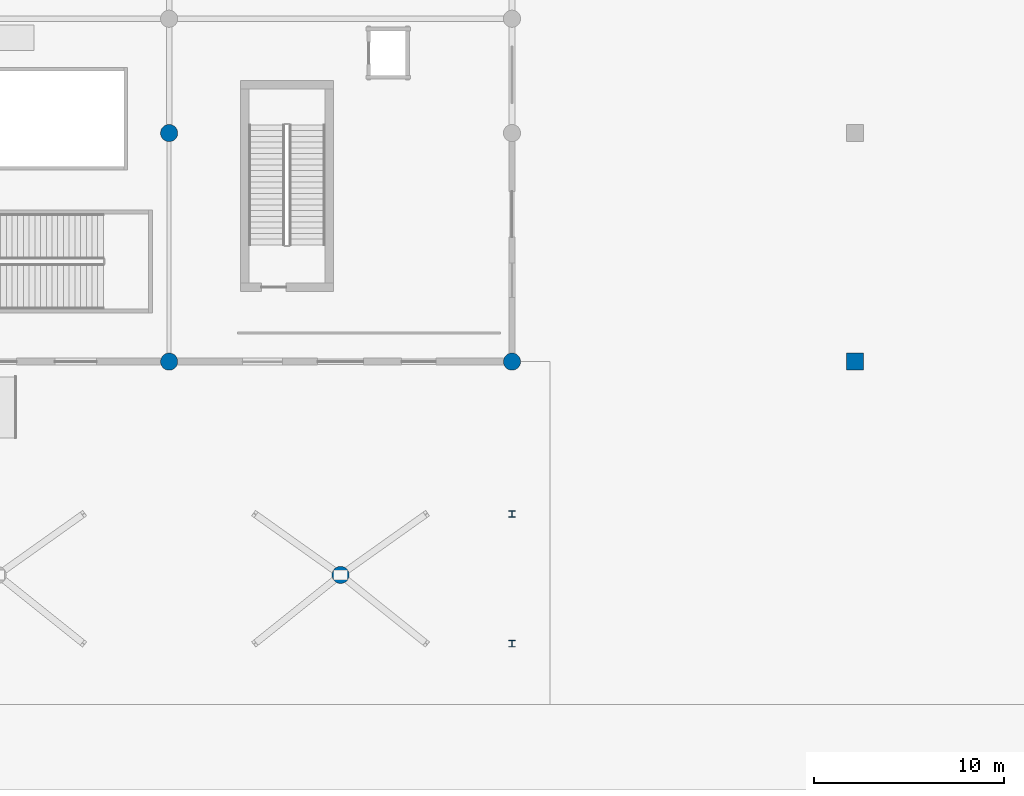
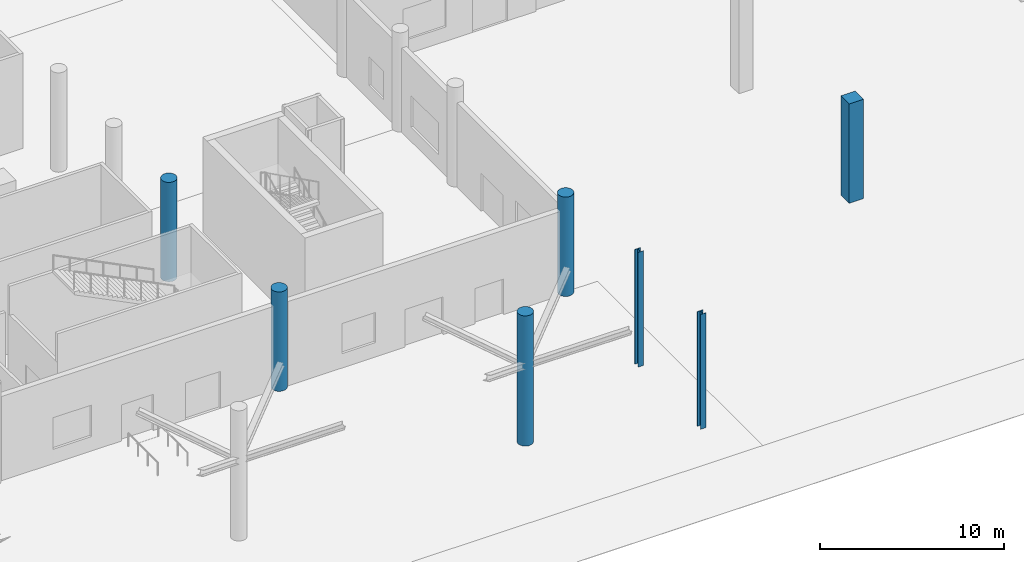
# One storey, part 3 of 65: 7 columns.
"""IFC4 building model written with IfcOpenShell, lengths in metres."""

import ifcopenshell
import ifcopenshell.guid

model = None  # the IFC model being written
_history = None  # IfcOwnerHistory: only IFC2X3 demands one
_inside = {}  # id of a spatial element -> (the spatial element, [elements in it])
_under = {}  # id of a project, library or spatial element -> (it, [spatial elements below it])
_declared = {}  # id of a project -> (the project, [libraries it declares])
_typed = {}  # id of a type object -> (the type object, [elements of that type])
_made_of = {}  # id of a material, layer set ... -> (it, [elements and type objects made of it])


def new_model(schema):
    """Start an empty IFC model of exactly this schema.

    Asked for "IFC4X3", IfcOpenShell would pick the latest addendum, in which some entities
    have other attributes; the version numbers below select the first issue.
    IFC2X3 requires an IfcOwnerHistory on every rooted entity: one is made here for all.
    """
    global model, _history
    if schema == "IFC4X3":
        model = ifcopenshell.file(schema_version=(4, 3, 0, 0))
    else:
        model = ifcopenshell.file(schema=schema)
    _inside.clear()
    _under.clear()
    _declared.clear()
    _typed.clear()
    _made_of.clear()
    _history = None
    if model.schema == "IFC2X3":
        org = make("IfcOrganization", Name="unknown")
        user = make(
            "IfcPersonAndOrganization",
            ThePerson=make("IfcPerson", FamilyName="unknown"),
            TheOrganization=org,
        )
        app = make(
            "IfcApplication",
            ApplicationDeveloper=org,
            Version="unknown",
            ApplicationFullName="unknown",
            ApplicationIdentifier="unknown",
        )
        _history = make(
            "IfcOwnerHistory",
            OwningUser=user,
            OwningApplication=app,
            ChangeAction="ADDED",
            CreationDate=0,
        )
    return model


def make(cls, **values):
    """One entity of the class cls with the attributes given. An attribute that is None is left unset."""
    return model.create_entity(
        cls, **{name: value for name, value in values.items() if value is not None}
    )


def rooted(cls, **values):
    """An entity with a GlobalId (a new one), such as an element, a storey or a relation."""
    return make(cls, GlobalId=ifcopenshell.guid.new(), OwnerHistory=_history, **values)


def si_unit(unit_type, name, prefix=None):
    """IfcSIUnit, for example si_unit("LENGTHUNIT", "METRE", prefix="MILLI")."""
    return make("IfcSIUnit", UnitType=unit_type, Prefix=prefix, Name=name)


def assignment(units):
    """IfcUnitAssignment: the units of a project."""
    return None if units is None else make("IfcUnitAssignment", Units=units)


def point(xyz):
    """IfcCartesianPoint."""
    return None if xyz is None else make("IfcCartesianPoint", Coordinates=xyz)


def direction(xyz):
    """IfcDirection."""
    return None if xyz is None else make("IfcDirection", DirectionRatios=xyz)


def frame(location, z_axis=None, x_axis=None):
    """IfcAxis2Placement3D, a coordinate frame: its origin and axes. An axis left out is left unset."""
    return make(
        "IfcAxis2Placement3D",
        Location=point(location),
        Axis=direction(z_axis),
        RefDirection=direction(x_axis),
    )


def frame_2d(location, x_axis=None):
    """IfcAxis2Placement2D, a coordinate frame in the plane: its origin and x axis."""
    return make(
        "IfcAxis2Placement2D", Location=point(location), RefDirection=direction(x_axis)
    )


def origin():
    """The frame at (0, 0, 0) with its axes left unset."""
    return frame((0.0, 0.0, 0.0))


def origin_2d():
    """The frame at (0, 0) in the plane with its x axis left unset."""
    return frame_2d((0.0, 0.0))


def place(relative_to, where):
    """IfcLocalPlacement: puts the frame where relative to a parent placement (None: the world)."""
    return make(
        "IfcLocalPlacement", PlacementRelTo=relative_to, RelativePlacement=where
    )


def context(
    kind, dimensions, precision=None, world=None, true_north=None, identifier=None
):
    """IfcGeometricRepresentationContext, for example the 3D "Model" context."""
    return make(
        "IfcGeometricRepresentationContext",
        ContextIdentifier=identifier,
        ContextType=kind,
        CoordinateSpaceDimension=dimensions,
        Precision=precision,
        WorldCoordinateSystem=world,
        TrueNorth=true_north,
    )


def subcontext(parent, identifier, kind, view, scale=None):
    """IfcGeometricRepresentationSubContext, for example "Body" below "Model"."""
    return make(
        "IfcGeometricRepresentationSubContext",
        ContextIdentifier=identifier,
        ContextType=kind,
        ParentContext=parent,
        TargetScale=scale,
        TargetView=view,
    )


def project(units=None, contexts=None):
    """IfcProject with its units and contexts."""
    return rooted(
        "IfcProject",
        Name="project",
        RepresentationContexts=contexts,
        UnitsInContext=assignment(units),
    )


def spatial(cls, under=None, at=None, **own):
    """A site, building, storey or space (cls), placed at a placement, below another one or the project."""
    s = rooted(cls, ObjectPlacement=at, **own)
    if under is not None:
        _under.setdefault(under.id(), (under, []))[1].append(s)
    return s


def profile(cls, at=None, kind="AREA", **sizes):
    """A parametric profile (cls). Its sizes go by their IFC names, for example OverallWidth=200.0."""
    return make(cls, ProfileType=kind, Position=at, **sizes)


def rectangle(**sizes):
    """IfcRectangleProfileDef."""
    return profile("IfcRectangleProfileDef", **sizes)


def circle(**sizes):
    """IfcCircleProfileDef."""
    return profile("IfcCircleProfileDef", **sizes)


def i_section(**sizes):
    """IfcIShapeProfileDef."""
    return profile("IfcIShapeProfileDef", **sizes)


def extrude(swept, where, along, depth):
    """IfcExtrudedAreaSolid: the profile swept, set in the frame where, extruded along a direction by depth."""
    return make(
        "IfcExtrudedAreaSolid",
        SweptArea=swept,
        Position=where,
        ExtrudedDirection=direction(along),
        Depth=depth,
    )


def shape(context_of_items, identifier, shape_type, items):
    """IfcShapeRepresentation: the items that make up one representation, for example the "Body"."""
    return make(
        "IfcShapeRepresentation",
        ContextOfItems=context_of_items,
        RepresentationIdentifier=identifier,
        RepresentationType=shape_type,
        Items=items,
    )


def material(Name=None, Category=None):
    """IfcMaterial."""
    return make("IfcMaterial", Name=Name, Category=Category)


def material_profile(
    of_material, cross_section, Name=None, Category=None, Priority=None
):
    """IfcMaterialProfile: a cross section and its material."""
    return make(
        "IfcMaterialProfile",
        Name=Name,
        Material=of_material,
        Profile=cross_section,
        Priority=Priority,
        Category=Category,
    )


def profile_set(profiles, Name=None, composite=None):
    """IfcMaterialProfileSet."""
    return make(
        "IfcMaterialProfileSet",
        Name=Name,
        MaterialProfiles=profiles,
        CompositeProfile=composite,
    )


def made_of(thing, what):
    """Note that an element or type object is made of a material, layer set ...; save() writes the relation."""
    if what is not None:
        _made_of.setdefault(what.id(), (what, []))[1].append(thing)
    return thing


def type_object(cls, material=None, **own):
    """A type object (cls), such as IfcWallType, which elements share."""
    return made_of(rooted(cls, **own), material)


def element(
    cls,
    number,
    at=None,
    inside=None,
    cuts=None,
    type_object=None,
    material=None,
    context=None,
    identifier="Body",
    shape_type=None,
    held_by="IfcProductDefinitionShape",
    body=None,
    shapes=None,
    **own,
):
    """One element of the class cls, such as IfcWall. Its Tag is "e" and its number.

    at: its placement. inside: the storey or other place that contains it. cuts: it is an
    opening in that element (IfcRelVoidsElement). A single representation is given by context,
    identifier, shape_type and body (its items); several are given by shapes. held_by: the class
    of the entity that holds the representations. save() writes the other relations.
    """
    e = rooted(cls, Tag="e%d" % number, ObjectPlacement=at, **own)
    if body is not None:
        shapes = [shape(context, identifier, shape_type, body)]
    if shapes is not None:
        e.Representation = make(held_by, Representations=shapes)
    if inside is not None:
        _inside.setdefault(inside.id(), (inside, []))[1].append(e)
    if cuts is not None:
        rooted(
            "IfcRelVoidsElement", RelatingBuildingElement=cuts, RelatedOpeningElement=e
        )
    if type_object is not None:
        _typed.setdefault(type_object.id(), (type_object, []))[1].append(e)
    return made_of(e, material)


def aggregate(whole, parts):
    """IfcRelAggregates: a whole, such as a stair, and the parts it consists of."""
    return rooted("IfcRelAggregates", RelatingObject=whole, RelatedObjects=parts)


def save(model, path):
    """Write the relations noted so far, then the file.

    IfcRelAggregates (storeys below a building ...), IfcRelContainedInSpatialStructure (elements
    in a storey), IfcRelDefinesByType, IfcRelAssociatesMaterial and IfcRelDeclares: one each for
    every whole, place, type object, material and project.
    """
    for whole, parts in _under.values():
        aggregate(whole, parts)
    for where, things in _inside.values():
        rooted(
            "IfcRelContainedInSpatialStructure",
            RelatedElements=things,
            RelatingStructure=where,
        )
    for kind, things in _typed.values():
        rooted("IfcRelDefinesByType", RelatedObjects=things, RelatingType=kind)
    for what, things in _made_of.values():
        rooted("IfcRelAssociatesMaterial", RelatedObjects=things, RelatingMaterial=what)
    for by, libraries in _declared.values():
        rooted("IfcRelDeclares", RelatingContext=by, RelatedDefinitions=libraries)
    model.write(path)


model = new_model("IFC4")

# Units and contexts
model_context = context("Model", 3, precision=1e-05, world=origin(), true_north=direction((0.0, 1.0)))
body_context = subcontext(model_context, "Body", "Model", "MODEL_VIEW")
ifc_project = project(units=[si_unit("LENGTHUNIT", "METRE"), si_unit("AREAUNIT", "SQUARE_METRE"), si_unit("VOLUMEUNIT", "CUBIC_METRE"), si_unit("PLANEANGLEUNIT", "RADIAN"), si_unit("MASSUNIT", "GRAM", prefix="KILO")], contexts=[model_context])

# Site, building, storey
site_placement = place(None, origin())
site = spatial("IfcSite", under=ifc_project, at=site_placement, CompositionType="ELEMENT")
building_placement = place(site_placement, origin())
building = spatial("IfcBuilding", under=site, at=building_placement, Name="Chuanluo Vaults Station", CompositionType="ELEMENT")
storey_placement = place(building_placement, origin())
storey = spatial("IfcBuildingStorey", under=building, at=storey_placement, Name="L00", CompositionType="ELEMENT", Elevation=0.0)

# Columns
ifc_material_1 = material(Name="Concrete C50", Category="concrete")
ifc_material_profile_1 = material_profile(ifc_material_1, circle(Radius=0.449951171875, at=origin_2d()))
ifc_profile_set_1 = profile_set([ifc_material_profile_1], Name="Concrete C50")
column_type_1 = type_object("IfcColumnType", Name="COL-CIR-900", PredefinedType="COLUMN", material=ifc_profile_set_1)
for number, where, z_axis, x_axis, name in (
    (1, (72.0, 18.0, 0.0), (0.0, 0.0, 1.0), (1.0, 0.0, 0.0), "Column L00-044"),
    (2, (72.0, 30.0, 0.0), (0.0, 0.0, 1.0), (1.0, 0.0, 0.0), "Column L00-045"),
    (3, (90.0, 18.0, 0.0), (0.0, 0.0, 1.0), (1.0, 0.0, 0.0), "Column L00-053"),
):
    element("IfcColumn", number, at=place(storey_placement, frame(where, z_axis=z_axis, x_axis=x_axis)), inside=storey, type_object=column_type_1, Name=name, PredefinedType="COLUMN", context=body_context, shape_type="SweptSolid", body=[
        extrude(circle(Radius=0.449951171875, at=origin_2d()), origin(), (0.0, 0.0, 1.0), 6.60009765625),
    ])
column_1_placement = place(storey_placement, frame((81.0, 6.800048828125, 0.0), z_axis=(0.0, 0.0, 1.0), x_axis=(1.0, 0.0, 0.0)))
element("IfcColumn", 4, at=column_1_placement, inside=storey, type_object=column_type_1, Name="Forecourt canopy Y-pier stem 04", PredefinedType="COLUMN", context=body_context, shape_type="SweptSolid", body=[
    extrude(circle(Radius=0.449951171875, at=origin_2d()), origin(), (0.0, 0.0, 1.0), 8.64990234375),
])
ifc_material_2 = material(Name="Concrete C50", Category="concrete")
ifc_material_profile_2 = material_profile(ifc_material_2, rectangle(XDim=0.89990234375, YDim=0.89990234375, at=origin_2d()))
ifc_profile_set_2 = profile_set([ifc_material_profile_2], Name="Concrete C50")
column_type_2 = type_object("IfcColumnType", Name="COL-RC-900x900", PredefinedType="COLUMN", material=ifc_profile_set_2)
column_2_placement = place(storey_placement, frame((108.0, 18.0, 0.0), z_axis=(0.0, 0.0, 1.0), x_axis=(1.0, 0.0, 0.0)))
element("IfcColumn", 5, at=column_2_placement, inside=storey, type_object=column_type_2, Name="Column L00-062", PredefinedType="COLUMN", context=body_context, shape_type="SweptSolid", body=[
    extrude(rectangle(XDim=0.89990234375, YDim=0.89990234375, at=origin_2d()), origin(), (0.0, 0.0, 1.0), 6.60009765625),
])
ifc_material_3 = material(Name="Steel Q355C", Category="steel")
ifc_material_profile_3 = material_profile(ifc_material_3, i_section(OverallWidth=0.35009765625, OverallDepth=0.35009765625, WebThickness=0.011962890625, FlangeThickness=0.01904296875, FilletRadius=0.02001953125, at=origin_2d()))
ifc_profile_set_3 = profile_set([ifc_material_profile_3], Name="Steel Q355C")
column_type_3 = type_object("IfcColumnType", Name="COL-STL-HW350", PredefinedType="COLUMN", material=ifc_profile_set_3)
for number, where, z_axis, x_axis, name in (
    (6, (90.0, 3.199951171875, 0.0), (0.0, 0.0, 1.0), (1.0, 0.0, 0.0), "Canopy end support column 90-3"),
    (7, (90.0, 10.0, 0.0), (0.0, 0.0, 1.0), (1.0, 0.0, 0.0), "Canopy end support column 90-10"),
):
    element("IfcColumn", number, at=place(storey_placement, frame(where, z_axis=z_axis, x_axis=x_axis)), inside=storey, type_object=column_type_3, Name=name, PredefinedType="COLUMN", context=body_context, shape_type="SweptSolid", body=[
        extrude(i_section(OverallWidth=0.35009765625, OverallDepth=0.35009765625, WebThickness=0.011962890625, FlangeThickness=0.01904296875, FilletRadius=0.02001953125, at=origin_2d()), origin(), (0.0, 0.0, 1.0), 7.6201171875),
    ])

save(model, "model.ifc")
